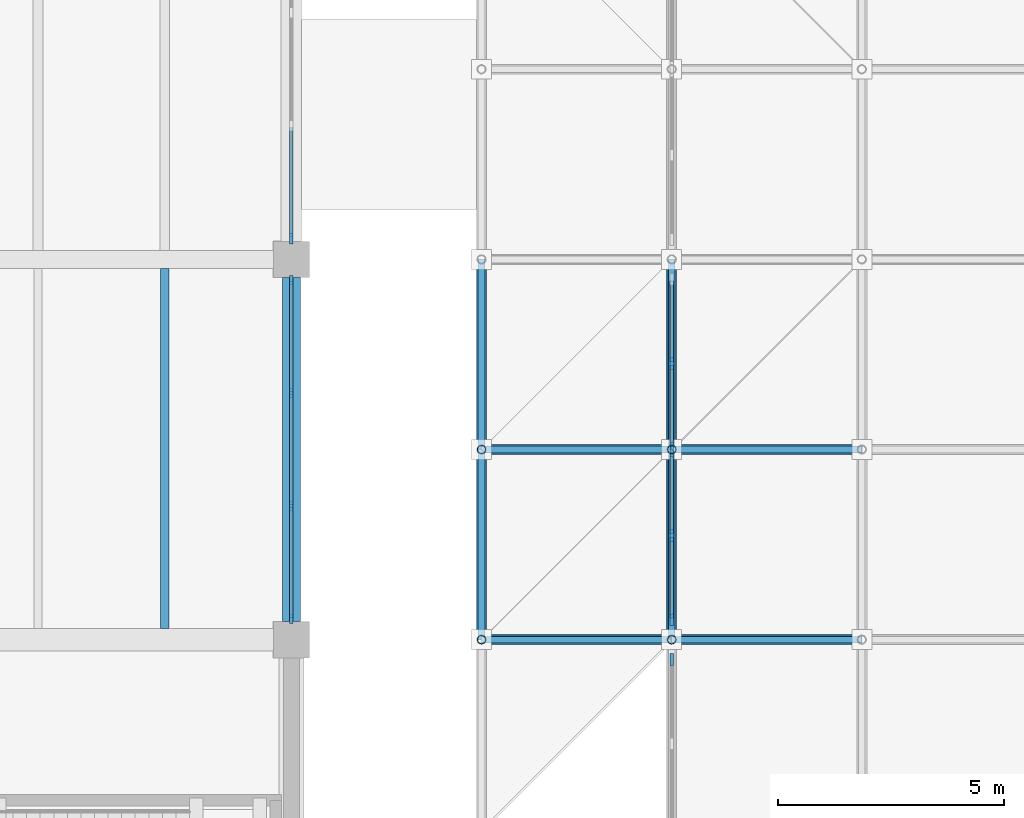
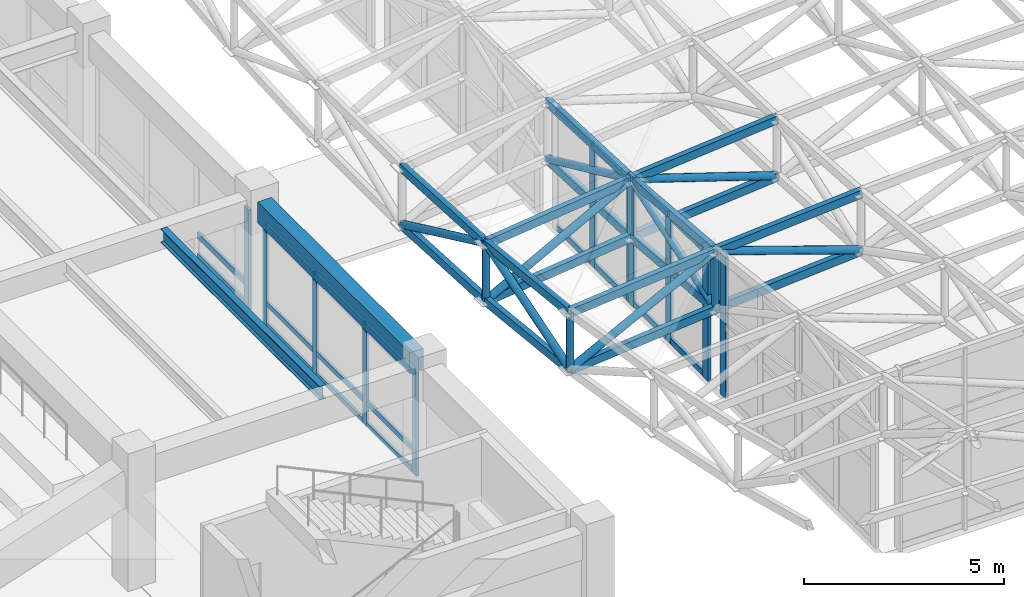
# One storey, part 17 of 132: 58 members, 2 beams, 5 elements without a shape of their own.
"""IFC4 building model written with IfcOpenShell, lengths in metres."""

from ifc_helpers import new_model, si_unit, direction, frame, origin, origin_2d, place, context, subcontext, project, spatial, rectangle, hollow_rectangle, hollow_circle, i_section, extrude, material, material_profile, profile_set, type_object, element, aggregate, save


model = new_model("IFC4")

# Units and contexts
model_context = context("Model", 3, precision=1e-05, world=origin(), true_north=direction((0.0, 1.0)))
body_context = subcontext(model_context, "Body", "Model", "MODEL_VIEW")
ifc_project = project(units=[si_unit("LENGTHUNIT", "METRE"), si_unit("AREAUNIT", "SQUARE_METRE"), si_unit("VOLUMEUNIT", "CUBIC_METRE"), si_unit("PLANEANGLEUNIT", "RADIAN"), si_unit("MASSUNIT", "GRAM", prefix="KILO")], contexts=[model_context])

# Site, building, storey
site_placement = place(None, origin())
site = spatial("IfcSite", under=ifc_project, at=site_placement, CompositionType="ELEMENT")
building_placement = place(site_placement, origin())
building = spatial("IfcBuilding", under=site, at=building_placement, Name="Cumbredor Promenade Congress Hotel", CompositionType="ELEMENT")
storey_placement = place(building_placement, frame((0.0, 0.0, 7.56005859375)))
storey = spatial("IfcBuildingStorey", under=building, at=storey_placement, Name="L02", CompositionType="ELEMENT", Elevation=7.56005859375)

# Beam
ifc_material_1 = material(Name="Concrete C40/50", Category="concrete")
ifc_material_profile_1 = material_profile(ifc_material_1, rectangle(XDim=0.39990234375, YDim=0.64990234375, at=origin_2d()), Name="RC BEAM 400x650")
ifc_profile_set_1 = profile_set([ifc_material_profile_1], Name="Concrete C40/50")
beam_type_1 = type_object("IfcBeamType", Name="BM-RC-400x650", PredefinedType="BEAM", material=ifc_profile_set_1)
beam_1_placement = place(storey_placement, frame((67.199951171875, 17.199951171875, 3.474853515625), z_axis=(0.0, 1.0, 0.0), x_axis=(-1.0, 0.0, 0.0)))
element("IfcBeam", 1, at=beam_1_placement, inside=storey, type_object=beam_type_1, Name="L03 Y-Grid Beam 116", PredefinedType="BEAM", context=body_context, shape_type="SweptSolid", body=[
    extrude(rectangle(XDim=0.39990234375, YDim=0.64990234375, at=origin_2d()), origin(), (0.0, 0.0, 1.0), 7.60009765625),
])

# Curtain wall, members
ifc_material_2 = material(Name="Thermally broken anodized aluminium and low-E glass", Category="aluminium")
curtain_wall_type_1 = type_object("IfcCurtainWallType", Name="Unitised Bronze Curtain Wall CW-01", PredefinedType="NOTDEFINED", material=ifc_material_2)
curtain_wall_1_placement = place(storey_placement, origin())
curtain_wall_1 = element("IfcCurtainWall", 2, at=curtain_wall_1_placement, inside=storey, type_object=curtain_wall_type_1, Name="L02 Plenary Congress Hall East Curtain Wall 2", PredefinedType="NOTDEFINED")
ifc_material_3 = material(Name="Thermally broken anodized aluminium", Category="aluminium")
ifc_material_profile_2 = material_profile(ifc_material_3, rectangle(XDim=0.074951171875, YDim=0.199951171875, at=origin_2d()), Name="ALU MULLION 75x200")
ifc_profile_set_2 = profile_set([ifc_material_profile_2], Name="Thermally broken anodized aluminium")
member_type_1 = type_object("IfcMemberType", Name="Curtain Wall Mullion ML-02", PredefinedType="MULLION", material=ifc_profile_set_2)
member_1_placement = place(storey_placement, frame((67.199951171875, 17.2548828125, -0.008056640625), z_axis=(0.0, 0.0, 1.0), x_axis=(1.0, 0.0, 0.0)))
member_1 = element("IfcMember", 3, at=member_1_placement, type_object=member_type_1, Name="L02 Plenary Congress Hall East Curtain Wall 2 Mullion 1", PredefinedType="MULLION", context=body_context, shape_type="SweptSolid", body=[
    extrude(rectangle(XDim=0.074951171875, YDim=0.199951171875, at=origin_2d()), origin(), (0.0, 0.0, 1.0), 3.15087890625),
])
member_2_placement = place(storey_placement, frame((67.199951171875, 19.751708984375, -0.008056640625), z_axis=(0.0, 0.0, 1.0), x_axis=(1.0, 0.0, 0.0)))
member_2 = element("IfcMember", 4, at=member_2_placement, type_object=member_type_1, Name="L02 Plenary Congress Hall East Curtain Wall 2 Mullion 2", PredefinedType="MULLION", context=body_context, shape_type="SweptSolid", body=[
    extrude(rectangle(XDim=0.074951171875, YDim=0.199951171875, at=origin_2d()), origin(), (0.0, 0.0, 1.0), 3.15087890625),
])
member_3_placement = place(storey_placement, frame((67.199951171875, 22.248291015625, -0.008056640625), z_axis=(0.0, 0.0, 1.0), x_axis=(1.0, 0.0, 0.0)))
member_3 = element("IfcMember", 5, at=member_3_placement, type_object=member_type_1, Name="L02 Plenary Congress Hall East Curtain Wall 2 Mullion 3", PredefinedType="MULLION", context=body_context, shape_type="SweptSolid", body=[
    extrude(rectangle(XDim=0.074951171875, YDim=0.199951171875, at=origin_2d()), origin(), (0.0, 0.0, 1.0), 3.15087890625),
])
member_4_placement = place(storey_placement, frame((67.199951171875, 24.7451171875, -0.008056640625), z_axis=(0.0, 0.0, 1.0), x_axis=(1.0, 0.0, 0.0)))
member_4 = element("IfcMember", 6, at=member_4_placement, type_object=member_type_1, Name="L02 Plenary Congress Hall East Curtain Wall 2 Mullion 4", PredefinedType="MULLION", context=body_context, shape_type="SweptSolid", body=[
    extrude(rectangle(XDim=0.074951171875, YDim=0.199951171875, at=origin_2d()), origin(), (0.0, 0.0, 1.0), 3.15087890625),
])

# Curtain wall, member
curtain_wall_2_placement = place(storey_placement, origin())
curtain_wall_2 = element("IfcCurtainWall", 7, at=curtain_wall_2_placement, inside=storey, type_object=curtain_wall_type_1, Name="L02 Plenary Congress Hall East Curtain Wall 3", PredefinedType="NOTDEFINED")
ifc_material_profile_3 = material_profile(ifc_material_3, rectangle(XDim=0.080078125, YDim=0.239990234375, at=origin_2d()), Name="ALU MULLION 80x240")
ifc_profile_set_3 = profile_set([ifc_material_profile_3], Name="Thermally broken anodized aluminium")
member_type_2 = type_object("IfcMemberType", Name="Curtain Wall Mullion ML-03", PredefinedType="MULLION", material=ifc_profile_set_3)
member_5_placement = place(storey_placement, frame((67.199951171875, 25.655029296875, -0.008056640625), z_axis=(0.0, 0.0, 1.0), x_axis=(1.0, 0.0, 0.0)))
member_5 = element("IfcMember", 8, at=member_5_placement, type_object=member_type_2, Name="L02 Plenary Congress Hall East Curtain Wall 3 Mullion 1", PredefinedType="MULLION", context=body_context, shape_type="SweptSolid", body=[
    extrude(rectangle(XDim=0.080078125, YDim=0.239990234375, at=origin_2d()), origin(), (0.0, 0.0, 1.0), 3.051025390625),
])

curtain_wall_type_2 = type_object("IfcCurtainWallType", Name="Stepped Pavilion Clerestory Curtain Wall CW-06", PredefinedType="NOTDEFINED", material=ifc_material_2)
curtain_wall_3_placement = place(storey_placement, origin())
curtain_wall_3 = element("IfcCurtainWall", 9, at=curtain_wall_3_placement, inside=storey, type_object=curtain_wall_type_2, Name="Thermal Spa and Hydrotherapy Pavilion W Glazed Clerestory 2", PredefinedType="NOTDEFINED")
ifc_material_profile_4 = material_profile(ifc_material_3, rectangle(XDim=0.0849609375, YDim=0.260009765625, at=origin_2d()), Name="ALU MULLION CLERESTORY 85x260")
ifc_profile_set_4 = profile_set([ifc_material_profile_4], Name="Thermally broken anodized aluminium")
member_type_3 = type_object("IfcMemberType", Name="Curtain Wall Mullion ML-04", PredefinedType="MULLION", material=ifc_profile_set_4)
member_6_placement = place(storey_placement, frame((75.60009765625, 16.360107421875, -0.01806640625), z_axis=(0.0, 0.0, 1.0), x_axis=(1.0, 0.0, 0.0)))
member_6 = element("IfcMember", 10, at=member_6_placement, type_object=member_type_3, Name="Thermal Spa and Hydrotherapy Pavilion W Glazed Clerestory 2 Mullion 3", PredefinedType="MULLION", context=body_context, shape_type="SweptSolid", body=[
    extrude(rectangle(XDim=0.0849609375, YDim=0.260009765625, at=origin_2d()), origin(), (0.0, 0.0, 1.0), 4.318359375),
])
aggregate(curtain_wall_3, [member_6])

# Curtain wall, members
curtain_wall_4_placement = place(storey_placement, origin())
curtain_wall_4 = element("IfcCurtainWall", 11, at=curtain_wall_4_placement, inside=storey, type_object=curtain_wall_type_2, Name="Thermal Spa and Hydrotherapy Pavilion W Glazed Clerestory 3", PredefinedType="NOTDEFINED")
member_7_placement = place(storey_placement, frame((75.60009765625, 17.239990234375, -0.01806640625), z_axis=(0.0, 0.0, 1.0), x_axis=(1.0, 0.0, 0.0)))
member_7 = element("IfcMember", 12, at=member_7_placement, type_object=member_type_3, Name="Thermal Spa and Hydrotherapy Pavilion W Glazed Clerestory 3 Mullion 1", PredefinedType="MULLION", context=body_context, shape_type="SweptSolid", body=[
    extrude(rectangle(XDim=0.0849609375, YDim=0.260009765625, at=origin_2d()), origin(), (0.0, 0.0, 1.0), 3.966552734375),
])
member_8_placement = place(storey_placement, frame((75.60009765625, 19.10009765625, -0.01806640625), z_axis=(0.0, 0.0, 1.0), x_axis=(1.0, 0.0, 0.0)))
member_8 = element("IfcMember", 13, at=member_8_placement, type_object=member_type_3, Name="Thermal Spa and Hydrotherapy Pavilion W Glazed Clerestory 3 Mullion 2", PredefinedType="MULLION", context=body_context, shape_type="SweptSolid", body=[
    extrude(rectangle(XDim=0.0849609375, YDim=0.260009765625, at=origin_2d()), origin(), (0.0, 0.0, 1.0), 3.966552734375),
])
member_9_placement = place(storey_placement, frame((75.60009765625, 20.9599609375, -0.01806640625), z_axis=(0.0, 0.0, 1.0), x_axis=(1.0, 0.0, 0.0)))
member_9 = element("IfcMember", 14, at=member_9_placement, type_object=member_type_3, Name="Thermal Spa and Hydrotherapy Pavilion W Glazed Clerestory 3 Mullion 3", PredefinedType="MULLION", context=body_context, shape_type="SweptSolid", body=[
    extrude(rectangle(XDim=0.0849609375, YDim=0.260009765625, at=origin_2d()), origin(), (0.0, 0.0, 1.0), 3.966552734375),
])

curtain_wall_5_placement = place(storey_placement, origin())
curtain_wall_5 = element("IfcCurtainWall", 15, at=curtain_wall_5_placement, inside=storey, type_object=curtain_wall_type_2, Name="Thermal Spa and Hydrotherapy Pavilion W Glazed Clerestory 4", PredefinedType="NOTDEFINED")
member_10_placement = place(storey_placement, frame((75.60009765625, 21.0400390625, -0.01806640625), z_axis=(0.0, 0.0, 1.0), x_axis=(1.0, 0.0, 0.0)))
member_10 = element("IfcMember", 16, at=member_10_placement, type_object=member_type_3, Name="Thermal Spa and Hydrotherapy Pavilion W Glazed Clerestory 4 Mullion 1", PredefinedType="MULLION", context=body_context, shape_type="SweptSolid", body=[
    extrude(rectangle(XDim=0.0849609375, YDim=0.260009765625, at=origin_2d()), origin(), (0.0, 0.0, 1.0), 3.790771484375),
])
member_11_placement = place(storey_placement, frame((75.60009765625, 22.89990234375, -0.01806640625), z_axis=(0.0, 0.0, 1.0), x_axis=(1.0, 0.0, 0.0)))
member_11 = element("IfcMember", 17, at=member_11_placement, type_object=member_type_3, Name="Thermal Spa and Hydrotherapy Pavilion W Glazed Clerestory 4 Mullion 2", PredefinedType="MULLION", context=body_context, shape_type="SweptSolid", body=[
    extrude(rectangle(XDim=0.0849609375, YDim=0.260009765625, at=origin_2d()), origin(), (0.0, 0.0, 1.0), 3.790771484375),
])

# Member
ifc_material_profile_5 = material_profile(ifc_material_3, rectangle(XDim=0.074951171875, YDim=0.14990234375, at=origin_2d()), Name="ALU TRANSOM 75x150")
ifc_profile_set_5 = profile_set([ifc_material_profile_5], Name="Thermally broken anodized aluminium")
member_type_4 = type_object("IfcMemberType", Name="Curtain Wall Transom TR-02", PredefinedType="USERDEFINED", material=ifc_profile_set_5)
member_12_placement = place(storey_placement, frame((67.199951171875, 17.29248046875, 0.06982421875), z_axis=(0.0, 1.0, 0.0), x_axis=(-1.0, 0.0, 0.0)))
member_12 = element("IfcMember", 18, at=member_12_placement, type_object=member_type_4, Name="L02 Plenary Congress Hall East Curtain Wall 2 Transom 1.1", ObjectType="TRANSOM", PredefinedType="USERDEFINED", context=body_context, shape_type="SweptSolid", body=[
    extrude(rectangle(XDim=0.074951171875, YDim=0.14990234375, at=origin_2d()), origin(), (0.0, 0.0, 1.0), 2.421630859375),
])

member_13_placement = place(storey_placement, frame((67.199951171875, 17.29248046875, 0.719970703125), z_axis=(0.0, 1.0, 0.0), x_axis=(-1.0, 0.0, 0.0)))
member_13 = element("IfcMember", 19, at=member_13_placement, type_object=member_type_4, Name="L02 Plenary Congress Hall East Curtain Wall 2 Transom 1.2", ObjectType="TRANSOM", PredefinedType="USERDEFINED", context=body_context, shape_type="SweptSolid", body=[
    extrude(rectangle(XDim=0.074951171875, YDim=0.14990234375, at=origin_2d()), origin(), (0.0, 0.0, 1.0), 2.421630859375),
])

member_14_placement = place(storey_placement, frame((67.199951171875, 17.29248046875, 3.06005859375), z_axis=(0.0, 1.0, 0.0), x_axis=(-1.0, 0.0, 0.0)))
member_14 = element("IfcMember", 20, at=member_14_placement, type_object=member_type_4, Name="L02 Plenary Congress Hall East Curtain Wall 2 Transom 1.3", ObjectType="TRANSOM", PredefinedType="USERDEFINED", context=body_context, shape_type="SweptSolid", body=[
    extrude(rectangle(XDim=0.074951171875, YDim=0.14990234375, at=origin_2d()), origin(), (0.0, 0.0, 1.0), 2.421630859375),
])

member_15_placement = place(storey_placement, frame((67.199951171875, 19.789306640625, 0.06982421875), z_axis=(0.0, 1.0, 0.0), x_axis=(-1.0, 0.0, 0.0)))
member_15 = element("IfcMember", 21, at=member_15_placement, type_object=member_type_4, Name="L02 Plenary Congress Hall East Curtain Wall 2 Transom 2.1", ObjectType="TRANSOM", PredefinedType="USERDEFINED", context=body_context, shape_type="SweptSolid", body=[
    extrude(rectangle(XDim=0.074951171875, YDim=0.14990234375, at=origin_2d()), origin(), (0.0, 0.0, 1.0), 2.42138671875),
])

member_16_placement = place(storey_placement, frame((67.199951171875, 19.789306640625, 0.719970703125), z_axis=(0.0, 1.0, 0.0), x_axis=(-1.0, 0.0, 0.0)))
member_16 = element("IfcMember", 22, at=member_16_placement, type_object=member_type_4, Name="L02 Plenary Congress Hall East Curtain Wall 2 Transom 2.2", ObjectType="TRANSOM", PredefinedType="USERDEFINED", context=body_context, shape_type="SweptSolid", body=[
    extrude(rectangle(XDim=0.074951171875, YDim=0.14990234375, at=origin_2d()), origin(), (0.0, 0.0, 1.0), 2.42138671875),
])

member_17_placement = place(storey_placement, frame((67.199951171875, 19.789306640625, 3.06005859375), z_axis=(0.0, 1.0, 0.0), x_axis=(-1.0, 0.0, 0.0)))
member_17 = element("IfcMember", 23, at=member_17_placement, type_object=member_type_4, Name="L02 Plenary Congress Hall East Curtain Wall 2 Transom 2.3", ObjectType="TRANSOM", PredefinedType="USERDEFINED", context=body_context, shape_type="SweptSolid", body=[
    extrude(rectangle(XDim=0.074951171875, YDim=0.14990234375, at=origin_2d()), origin(), (0.0, 0.0, 1.0), 2.42138671875),
])

member_18_placement = place(storey_placement, frame((67.199951171875, 22.285888671875, 0.06982421875), z_axis=(0.0, 1.0, 0.0), x_axis=(-1.0, 0.0, 0.0)))
member_18 = element("IfcMember", 24, at=member_18_placement, type_object=member_type_4, Name="L02 Plenary Congress Hall East Curtain Wall 2 Transom 3.1", ObjectType="TRANSOM", PredefinedType="USERDEFINED", context=body_context, shape_type="SweptSolid", body=[
    extrude(rectangle(XDim=0.074951171875, YDim=0.14990234375, at=origin_2d()), origin(), (0.0, 0.0, 1.0), 2.421630859375),
])

member_19_placement = place(storey_placement, frame((67.199951171875, 22.285888671875, 0.719970703125), z_axis=(0.0, 1.0, 0.0), x_axis=(-1.0, 0.0, 0.0)))
member_19 = element("IfcMember", 25, at=member_19_placement, type_object=member_type_4, Name="L02 Plenary Congress Hall East Curtain Wall 2 Transom 3.2", ObjectType="TRANSOM", PredefinedType="USERDEFINED", context=body_context, shape_type="SweptSolid", body=[
    extrude(rectangle(XDim=0.074951171875, YDim=0.14990234375, at=origin_2d()), origin(), (0.0, 0.0, 1.0), 2.421630859375),
])

member_20_placement = place(storey_placement, frame((67.199951171875, 22.285888671875, 3.06005859375), z_axis=(0.0, 1.0, 0.0), x_axis=(-1.0, 0.0, 0.0)))
member_20 = element("IfcMember", 26, at=member_20_placement, type_object=member_type_4, Name="L02 Plenary Congress Hall East Curtain Wall 2 Transom 3.3", ObjectType="TRANSOM", PredefinedType="USERDEFINED", context=body_context, shape_type="SweptSolid", body=[
    extrude(rectangle(XDim=0.074951171875, YDim=0.14990234375, at=origin_2d()), origin(), (0.0, 0.0, 1.0), 2.421630859375),
])

aggregate(curtain_wall_1, [member_1, member_2, member_3, member_4, member_12, member_13, member_14, member_15, member_16, member_17, member_18, member_19, member_20])

ifc_material_profile_6 = material_profile(ifc_material_3, rectangle(XDim=0.080078125, YDim=0.179931640625, at=origin_2d()), Name="ALU TRANSOM 80x180")
ifc_profile_set_6 = profile_set([ifc_material_profile_6], Name="Thermally broken anodized aluminium")
member_type_5 = type_object("IfcMemberType", Name="Curtain Wall Transom TR-03", PredefinedType="USERDEFINED", material=ifc_profile_set_6)
member_21_placement = place(storey_placement, frame((67.199951171875, 25.695068359375, 0.08984375), z_axis=(0.0, 1.0, 0.0), x_axis=(-1.0, 0.0, 0.0)))
member_21 = element("IfcMember", 27, at=member_21_placement, type_object=member_type_5, Name="L02 Plenary Congress Hall East Curtain Wall 3 Transom 1.1", ObjectType="TRANSOM", PredefinedType="USERDEFINED", context=body_context, shape_type="SweptSolid", body=[
    extrude(rectangle(XDim=0.080078125, YDim=0.179931640625, at=origin_2d()), origin(), (0.0, 0.0, 1.0), 2.416748046875),
])

member_22_placement = place(storey_placement, frame((67.199951171875, 25.695068359375, 0.719970703125), z_axis=(0.0, 1.0, 0.0), x_axis=(-1.0, 0.0, 0.0)))
member_22 = element("IfcMember", 28, at=member_22_placement, type_object=member_type_5, Name="L02 Plenary Congress Hall East Curtain Wall 3 Transom 1.2", ObjectType="TRANSOM", PredefinedType="USERDEFINED", context=body_context, shape_type="SweptSolid", body=[
    extrude(rectangle(XDim=0.080078125, YDim=0.179931640625, at=origin_2d()), origin(), (0.0, 0.0, 1.0), 2.416748046875),
])

aggregate(curtain_wall_2, [member_5, member_21, member_22])

member_23_placement = place(storey_placement, frame((75.60009765625, 17.282470703125, 0.079833984375), z_axis=(0.0, 1.0, 0.0), x_axis=(-1.0, 0.0, 0.0)))
member_23 = element("IfcMember", 29, at=member_23_placement, type_object=member_type_5, Name="Thermal Spa and Hydrotherapy Pavilion W Glazed Clerestory 3 Transom 1.1", ObjectType="TRANSOM", PredefinedType="USERDEFINED", context=body_context, shape_type="SweptSolid", body=[
    extrude(rectangle(XDim=0.080078125, YDim=0.179931640625, at=origin_2d()), origin(), (0.0, 0.0, 1.0), 1.775146484375),
])

member_24_placement = place(storey_placement, frame((75.60009765625, 17.282470703125, 3.849853515625), z_axis=(0.0, 1.0, 0.0), x_axis=(-1.0, 0.0, 0.0)))
member_24 = element("IfcMember", 30, at=member_24_placement, type_object=member_type_5, Name="Thermal Spa and Hydrotherapy Pavilion W Glazed Clerestory 3 Transom 1.2", ObjectType="TRANSOM", PredefinedType="USERDEFINED", context=body_context, shape_type="SweptSolid", body=[
    extrude(rectangle(XDim=0.080078125, YDim=0.179931640625, at=origin_2d()), origin(), (0.0, 0.0, 1.0), 1.775146484375),
])

member_25_placement = place(storey_placement, frame((75.60009765625, 19.142578125, 0.079833984375), z_axis=(0.0, 1.0, 0.0), x_axis=(-1.0, 0.0, 0.0)))
member_25 = element("IfcMember", 31, at=member_25_placement, type_object=member_type_5, Name="Thermal Spa and Hydrotherapy Pavilion W Glazed Clerestory 3 Transom 2.1", ObjectType="TRANSOM", PredefinedType="USERDEFINED", context=body_context, shape_type="SweptSolid", body=[
    extrude(rectangle(XDim=0.080078125, YDim=0.179931640625, at=origin_2d()), origin(), (0.0, 0.0, 1.0), 1.77490234375),
])

member_26_placement = place(storey_placement, frame((75.60009765625, 19.142578125, 3.849853515625), z_axis=(0.0, 1.0, 0.0), x_axis=(-1.0, 0.0, 0.0)))
member_26 = element("IfcMember", 32, at=member_26_placement, type_object=member_type_5, Name="Thermal Spa and Hydrotherapy Pavilion W Glazed Clerestory 3 Transom 2.2", ObjectType="TRANSOM", PredefinedType="USERDEFINED", context=body_context, shape_type="SweptSolid", body=[
    extrude(rectangle(XDim=0.080078125, YDim=0.179931640625, at=origin_2d()), origin(), (0.0, 0.0, 1.0), 1.77490234375),
])

aggregate(curtain_wall_4, [member_7, member_8, member_9, member_23, member_24, member_25, member_26])

member_27_placement = place(storey_placement, frame((75.60009765625, 21.08251953125, 0.079833984375), z_axis=(0.0, 1.0, 0.0), x_axis=(-1.0, 0.0, 0.0)))
member_27 = element("IfcMember", 33, at=member_27_placement, type_object=member_type_5, Name="Thermal Spa and Hydrotherapy Pavilion W Glazed Clerestory 4 Transom 1.1", ObjectType="TRANSOM", PredefinedType="USERDEFINED", context=body_context, shape_type="SweptSolid", body=[
    extrude(rectangle(XDim=0.080078125, YDim=0.179931640625, at=origin_2d()), origin(), (0.0, 0.0, 1.0), 1.77490234375),
])

member_28_placement = place(storey_placement, frame((75.60009765625, 21.08251953125, 3.669921875), z_axis=(0.0, 1.0, 0.0), x_axis=(-1.0, 0.0, 0.0)))
member_28 = element("IfcMember", 34, at=member_28_placement, type_object=member_type_5, Name="Thermal Spa and Hydrotherapy Pavilion W Glazed Clerestory 4 Transom 1.2", ObjectType="TRANSOM", PredefinedType="USERDEFINED", context=body_context, shape_type="SweptSolid", body=[
    extrude(rectangle(XDim=0.080078125, YDim=0.179931640625, at=origin_2d()), origin(), (0.0, 0.0, 1.0), 1.77490234375),
])

member_29_placement = place(storey_placement, frame((75.60009765625, 22.9423828125, 0.079833984375), z_axis=(0.0, 1.0, 0.0), x_axis=(-1.0, 0.0, 0.0)))
member_29 = element("IfcMember", 35, at=member_29_placement, type_object=member_type_5, Name="Thermal Spa and Hydrotherapy Pavilion W Glazed Clerestory 4 Transom 2.1", ObjectType="TRANSOM", PredefinedType="USERDEFINED", context=body_context, shape_type="SweptSolid", body=[
    extrude(rectangle(XDim=0.080078125, YDim=0.179931640625, at=origin_2d()), origin(), (0.0, 0.0, 1.0), 1.775146484375),
])

member_30_placement = place(storey_placement, frame((75.60009765625, 22.9423828125, 3.669921875), z_axis=(0.0, 1.0, 0.0), x_axis=(-1.0, 0.0, 0.0)))
member_30 = element("IfcMember", 36, at=member_30_placement, type_object=member_type_5, Name="Thermal Spa and Hydrotherapy Pavilion W Glazed Clerestory 4 Transom 2.2", ObjectType="TRANSOM", PredefinedType="USERDEFINED", context=body_context, shape_type="SweptSolid", body=[
    extrude(rectangle(XDim=0.080078125, YDim=0.179931640625, at=origin_2d()), origin(), (0.0, 0.0, 1.0), 1.775146484375),
])

aggregate(curtain_wall_5, [member_10, member_11, member_27, member_28, member_29, member_30])

# Beam
ifc_material_4 = material(Name="Steel ASTM A992 Grade 50", Category="steel")
ifc_material_profile_7 = material_profile(ifc_material_4, i_section(OverallWidth=0.180908203125, OverallDepth=0.4169921875, WebThickness=0.010986328125, FlangeThickness=0.018310546875, at=origin_2d()), Name="W16X57")
ifc_profile_set_7 = profile_set([ifc_material_profile_7], Name="Steel ASTM A992 Grade 50")
beam_type_2 = type_object("IfcBeamType", Name="JST-W16X57", PredefinedType="JOIST", material=ifc_profile_set_7)
beam_2_placement = place(storey_placement, frame((64.39990234375, 17.050048828125, 3.591552734375), z_axis=(0.0, 1.0, 0.0), x_axis=(-1.0, 0.0, 0.0)))
element("IfcBeam", 37, at=beam_2_placement, inside=storey, type_object=beam_type_2, Name="L03 Secondary Floor Joist 0049", PredefinedType="JOIST", context=body_context, shape_type="SweptSolid", body=[
    extrude(i_section(OverallWidth=0.180908203125, OverallDepth=0.4169921875, WebThickness=0.010986328125, FlangeThickness=0.018310546875, at=origin_2d()), origin(), (0.0, 0.0, 1.0), 7.949951171875),
])

# Members
ifc_material_5 = material(Name="Steel ASTM A500 Grade C", Category="steel")
ifc_material_profile_8 = material_profile(ifc_material_5, hollow_rectangle(XDim=0.14990234375, YDim=0.25, WallThickness=0.012451171875, at=origin_2d()), Name="HSS 250x150x12.5")
ifc_profile_set_8 = profile_set([ifc_material_profile_8], Name="Steel ASTM A500 Grade C")
member_type_6 = type_object("IfcMemberType", Name="Spa Roof Space Frame Chord", PredefinedType="CHORD", material=ifc_profile_set_8)
for number, where, z_axis, x_axis, name in (
    (38, (71.39990234375, 16.800048828125, 3.753173828125), (0.995579604811, 0.0, 0.093921512358), (0.0, 1.0, 0.0), "Thermal Spa and Hydrotherapy Pavilion X Top Chord 1.5"),
    (39, (71.39990234375, 16.800048828125, 2.003173828125), (0.995579604811, 0.0, 0.093921512358), (0.0, 1.0, 0.0), "Thermal Spa and Hydrotherapy Pavilion X Bottom Chord 1.5"),
):
    element("IfcMember", number, at=place(storey_placement, frame(where, z_axis=z_axis, x_axis=x_axis)), inside=storey, type_object=member_type_6, Name=name, PredefinedType="CHORD", context=body_context, shape_type="SweptSolid", body=[
        extrude(hollow_rectangle(XDim=0.14990234375, YDim=0.25, WallThickness=0.012451171875, at=origin_2d()), origin(), (0.0, 0.0, 1.0), 4.21875),
    ])
for number, where, z_axis, x_axis, name in (
    (40, (75.60009765625, 16.800048828125, 4.1494140625), (0.997294578596, 0.0, 0.073508662772), (0.0, 1.0, 0.0), "Thermal Spa and Hydrotherapy Pavilion X Top Chord 2.5"),
    (41, (75.60009765625, 16.800048828125, 2.3994140625), (0.997294578596, 0.0, 0.073508662772), (0.0, 1.0, 0.0), "Thermal Spa and Hydrotherapy Pavilion X Bottom Chord 2.5"),
):
    element("IfcMember", number, at=place(storey_placement, frame(where, z_axis=z_axis, x_axis=x_axis)), inside=storey, type_object=member_type_6, Name=name, PredefinedType="CHORD", context=body_context, shape_type="SweptSolid", body=[
        extrude(hollow_rectangle(XDim=0.14990234375, YDim=0.25, WallThickness=0.012451171875, at=origin_2d()), origin(), (0.0, 0.0, 1.0), 4.21142578125),
    ])
for number, where, z_axis, x_axis, name in (
    (42, (71.39990234375, 21.0, 3.309326171875), (0.993317081882, 0.0, 0.115417394018), (0.0, 1.0, 0.0), "Thermal Spa and Hydrotherapy Pavilion X Top Chord 1.6"),
    (43, (71.39990234375, 21.0, 1.559326171875), (0.993317081882, 0.0, 0.115417394018), (0.0, 1.0, 0.0), "Thermal Spa and Hydrotherapy Pavilion X Bottom Chord 1.6"),
):
    element("IfcMember", number, at=place(storey_placement, frame(where, z_axis=z_axis, x_axis=x_axis)), inside=storey, type_object=member_type_6, Name=name, PredefinedType="CHORD", context=body_context, shape_type="SweptSolid", body=[
        extrude(hollow_rectangle(XDim=0.14990234375, YDim=0.25, WallThickness=0.012451171875, at=origin_2d()), origin(), (0.0, 0.0, 1.0), 4.228515625),
    ])
for number, where, z_axis, x_axis, name in (
    (44, (75.60009765625, 21.0, 3.79736328125), (0.995913585681, 0.0, 0.090311294173), (0.0, 1.0, 0.0), "Thermal Spa and Hydrotherapy Pavilion X Top Chord 2.6"),
    (45, (75.60009765625, 21.0, 2.04736328125), (0.995913585681, 0.0, 0.090311294173), (0.0, 1.0, 0.0), "Thermal Spa and Hydrotherapy Pavilion X Bottom Chord 2.6"),
):
    element("IfcMember", number, at=place(storey_placement, frame(where, z_axis=z_axis, x_axis=x_axis)), inside=storey, type_object=member_type_6, Name=name, PredefinedType="CHORD", context=body_context, shape_type="SweptSolid", body=[
        extrude(hollow_rectangle(XDim=0.14990234375, YDim=0.25, WallThickness=0.012451171875, at=origin_2d()), origin(), (0.0, 0.0, 1.0), 4.21728515625),
    ])
for number, where, z_axis, x_axis, name in (
    (46, (71.39990234375, 16.800048828125, 3.753173828125), (0.0, 0.994462290258, -0.105094021025), (-1.0, 0.0, 0.0), "Thermal Spa and Hydrotherapy Pavilion Y Top Chord 1.5"),
    (47, (71.39990234375, 16.800048828125, 2.003173828125), (0.0, 0.994462290258, -0.105094021025), (-1.0, 0.0, 0.0), "Thermal Spa and Hydrotherapy Pavilion Y Bottom Chord 1.5"),
):
    element("IfcMember", number, at=place(storey_placement, frame(where, z_axis=z_axis, x_axis=x_axis)), inside=storey, type_object=member_type_6, Name=name, PredefinedType="CHORD", context=body_context, shape_type="SweptSolid", body=[
        extrude(hollow_rectangle(XDim=0.14990234375, YDim=0.25, WallThickness=0.012451171875, at=origin_2d()), origin(), (0.0, 0.0, 1.0), 4.223388671875),
    ])
for number, where, z_axis, x_axis, name in (
    (48, (71.39990234375, 21.0, 3.309326171875), (0.0, 0.998606903719, -0.052766010317), (-1.0, 0.0, 0.0), "Thermal Spa and Hydrotherapy Pavilion Y Top Chord 1.6"),
    (49, (71.39990234375, 21.0, 1.559326171875), (0.0, 0.998606903719, -0.052766010317), (-1.0, 0.0, 0.0), "Thermal Spa and Hydrotherapy Pavilion Y Bottom Chord 1.6"),
):
    element("IfcMember", number, at=place(storey_placement, frame(where, z_axis=z_axis, x_axis=x_axis)), inside=storey, type_object=member_type_6, Name=name, PredefinedType="CHORD", context=body_context, shape_type="SweptSolid", body=[
        extrude(hollow_rectangle(XDim=0.14990234375, YDim=0.25, WallThickness=0.012451171875, at=origin_2d()), origin(), (0.0, 0.0, 1.0), 4.205810546875),
    ])
for number, where, z_axis, x_axis, name in (
    (50, (75.60009765625, 16.800048828125, 4.1494140625), (0.0, 0.996505291992, -0.08352965361), (-1.0, 0.0, 0.0), "Thermal Spa and Hydrotherapy Pavilion Y Top Chord 2.5"),
    (51, (75.60009765625, 16.800048828125, 2.3994140625), (0.0, 0.996505291992, -0.08352965361), (-1.0, 0.0, 0.0), "Thermal Spa and Hydrotherapy Pavilion Y Bottom Chord 2.5"),
):
    element("IfcMember", number, at=place(storey_placement, frame(where, z_axis=z_axis, x_axis=x_axis)), inside=storey, type_object=member_type_6, Name=name, PredefinedType="CHORD", context=body_context, shape_type="SweptSolid", body=[
        extrude(hollow_rectangle(XDim=0.14990234375, YDim=0.25, WallThickness=0.012451171875, at=origin_2d()), origin(), (0.0, 0.0, 1.0), 4.214599609375),
    ])
for number, where, z_axis, x_axis, name in (
    (52, (75.60009765625, 21.0, 3.79736328125), (0.0, 0.999127730104, -0.041758579198), (-1.0, 0.0, 0.0), "Thermal Spa and Hydrotherapy Pavilion Y Top Chord 2.6"),
    (53, (75.60009765625, 21.0, 2.04736328125), (0.0, 0.999127730104, -0.041758579198), (-1.0, 0.0, 0.0), "Thermal Spa and Hydrotherapy Pavilion Y Bottom Chord 2.6"),
):
    element("IfcMember", number, at=place(storey_placement, frame(where, z_axis=z_axis, x_axis=x_axis)), inside=storey, type_object=member_type_6, Name=name, PredefinedType="CHORD", context=body_context, shape_type="SweptSolid", body=[
        extrude(hollow_rectangle(XDim=0.14990234375, YDim=0.25, WallThickness=0.012451171875, at=origin_2d()), origin(), (0.0, 0.0, 1.0), 4.20361328125),
    ])
ifc_material_profile_9 = material_profile(ifc_material_5, hollow_circle(Radius=0.109619140625, WallThickness=0.012451171875, at=origin_2d()), Name="CHS 219.1x12.5")
ifc_profile_set_9 = profile_set([ifc_material_profile_9], Name="Steel ASTM A500 Grade C")
member_type_7 = type_object("IfcMemberType", Name="Space Frame Web Diagonal D1", PredefinedType="BRACE", material=ifc_profile_set_9)
member_31_placement = place(storey_placement, frame((71.39990234375, 16.800048828125, 2.003173828125), z_axis=(0.890479891847, 0.0, 0.455022595282), x_axis=(0.0, 1.0, 0.0)))
element("IfcMember", 54, at=member_31_placement, inside=storey, type_object=member_type_7, Name="Thermal Spa and Hydrotherapy Pavilion X Web Diagonal 1.5", PredefinedType="BRACE", context=body_context, shape_type="SweptSolid", body=[
    extrude(hollow_circle(Radius=0.109619140625, WallThickness=0.012451171875, at=origin_2d()), origin(), (0.0, 0.0, 1.0), 4.716796875),
])
member_32_placement = place(storey_placement, frame((75.60009765625, 16.800048828125, 4.1494140625), z_axis=(0.945915095178, 0.0, -0.324414291784), x_axis=(0.0, 1.0, 0.0)))
element("IfcMember", 55, at=member_32_placement, inside=storey, type_object=member_type_7, Name="Thermal Spa and Hydrotherapy Pavilion X Web Diagonal 2.5", PredefinedType="BRACE", context=body_context, shape_type="SweptSolid", body=[
    extrude(hollow_circle(Radius=0.109619140625, WallThickness=0.012451171875, at=origin_2d()), origin(), (0.0, 0.0, 1.0), 4.440185546875),
])
member_33_placement = place(storey_placement, frame((71.39990234375, 21.0, 1.559326171875), z_axis=(0.882533218638, 0.0, 0.470250059012), x_axis=(0.0, 1.0, 0.0)))
element("IfcMember", 56, at=member_33_placement, inside=storey, type_object=member_type_7, Name="Thermal Spa and Hydrotherapy Pavilion X Web Diagonal 1.6", PredefinedType="BRACE", context=body_context, shape_type="SweptSolid", body=[
    extrude(hollow_circle(Radius=0.109619140625, WallThickness=0.012451171875, at=origin_2d()), origin(), (0.0, 0.0, 1.0), 4.75927734375),
])
member_34_placement = place(storey_placement, frame((75.60009765625, 21.0, 3.79736328125), z_axis=(0.950757103344, 0.0, -0.309936978176), x_axis=(0.0, 1.0, 0.0)))
element("IfcMember", 57, at=member_34_placement, inside=storey, type_object=member_type_7, Name="Thermal Spa and Hydrotherapy Pavilion X Web Diagonal 2.6", PredefinedType="BRACE", context=body_context, shape_type="SweptSolid", body=[
    extrude(hollow_circle(Radius=0.109619140625, WallThickness=0.012451171875, at=origin_2d()), origin(), (0.0, 0.0, 1.0), 4.41748046875),
])
member_35_placement = place(storey_placement, frame((71.39990234375, 16.800048828125, 2.003173828125), z_axis=(0.0, 0.954888960355, 0.296963084224), x_axis=(-1.0, 0.0, 0.0)))
element("IfcMember", 58, at=member_35_placement, inside=storey, type_object=member_type_7, Name="Thermal Spa and Hydrotherapy Pavilion Y Web Diagonal 1.5", PredefinedType="BRACE", context=body_context, shape_type="SweptSolid", body=[
    extrude(hollow_circle(Radius=0.109619140625, WallThickness=0.012451171875, at=origin_2d()), origin(), (0.0, 0.0, 1.0), 4.3984375),
])
member_36_placement = place(storey_placement, frame((71.39990234375, 21.0, 3.309326171875), z_axis=(0.0, 0.905193982736, -0.424998651314), x_axis=(-1.0, 0.0, 0.0)))
element("IfcMember", 59, at=member_36_placement, inside=storey, type_object=member_type_7, Name="Thermal Spa and Hydrotherapy Pavilion Y Web Diagonal 1.6", PredefinedType="BRACE", context=body_context, shape_type="SweptSolid", body=[
    extrude(hollow_circle(Radius=0.109619140625, WallThickness=0.012451171875, at=origin_2d()), origin(), (0.0, 0.0, 1.0), 4.639892578125),
])
member_37_placement = place(storey_placement, frame((75.60009765625, 16.800048828125, 2.3994140625), z_axis=(0.0, 0.948821093859, 0.315814077977), x_axis=(-1.0, 0.0, 0.0)))
element("IfcMember", 60, at=member_37_placement, inside=storey, type_object=member_type_7, Name="Thermal Spa and Hydrotherapy Pavilion Y Web Diagonal 2.5", PredefinedType="BRACE", context=body_context, shape_type="SweptSolid", body=[
    extrude(hollow_circle(Radius=0.109619140625, WallThickness=0.012451171875, at=origin_2d()), origin(), (0.0, 0.0, 1.0), 4.426513671875),
])
member_38_placement = place(storey_placement, frame((75.60009765625, 21.0, 3.79736328125), z_axis=(0.0, 0.909018951336, -0.416754779352), x_axis=(-1.0, 0.0, 0.0)))
element("IfcMember", 61, at=member_38_placement, inside=storey, type_object=member_type_7, Name="Thermal Spa and Hydrotherapy Pavilion Y Web Diagonal 2.6", PredefinedType="BRACE", context=body_context, shape_type="SweptSolid", body=[
    extrude(hollow_circle(Radius=0.109619140625, WallThickness=0.012451171875, at=origin_2d()), origin(), (0.0, 0.0, 1.0), 4.620361328125),
])
ifc_material_profile_10 = material_profile(ifc_material_5, hollow_circle(Radius=0.096923828125, WallThickness=0.010009765625, at=origin_2d()), Name="CHS 193.7x10")
ifc_profile_set_10 = profile_set([ifc_material_profile_10], Name="Steel ASTM A500 Grade C")
member_type_8 = type_object("IfcMemberType", Name="Space Frame Web Post P1", PredefinedType="BRACE", material=ifc_profile_set_10)
for number, where, z_axis, x_axis, name in (
    (62, (71.39990234375, 16.800048828125, 2.003173828125), (0.0, 0.0, 1.0), (1.0, 0.0, 0.0), "Thermal Spa and Hydrotherapy Pavilion Space Frame Web Post 1.5"),
    (63, (71.39990234375, 21.0, 1.559326171875), (0.0, 0.0, 1.0), (1.0, 0.0, 0.0), "Thermal Spa and Hydrotherapy Pavilion Space Frame Web Post 1.6"),
    (64, (75.60009765625, 16.800048828125, 2.3994140625), (0.0, 0.0, 1.0), (1.0, 0.0, 0.0), "Thermal Spa and Hydrotherapy Pavilion Space Frame Web Post 2.5"),
    (65, (75.60009765625, 21.0, 2.04736328125), (0.0, 0.0, 1.0), (1.0, 0.0, 0.0), "Thermal Spa and Hydrotherapy Pavilion Space Frame Web Post 2.6"),
):
    element("IfcMember", number, at=place(storey_placement, frame(where, z_axis=z_axis, x_axis=x_axis)), inside=storey, type_object=member_type_8, Name=name, PredefinedType="BRACE", context=body_context, shape_type="SweptSolid", body=[
        extrude(hollow_circle(Radius=0.096923828125, WallThickness=0.010009765625, at=origin_2d()), origin(), (0.0, 0.0, 1.0), 1.75),
    ])

save(model, "model.ifc")
